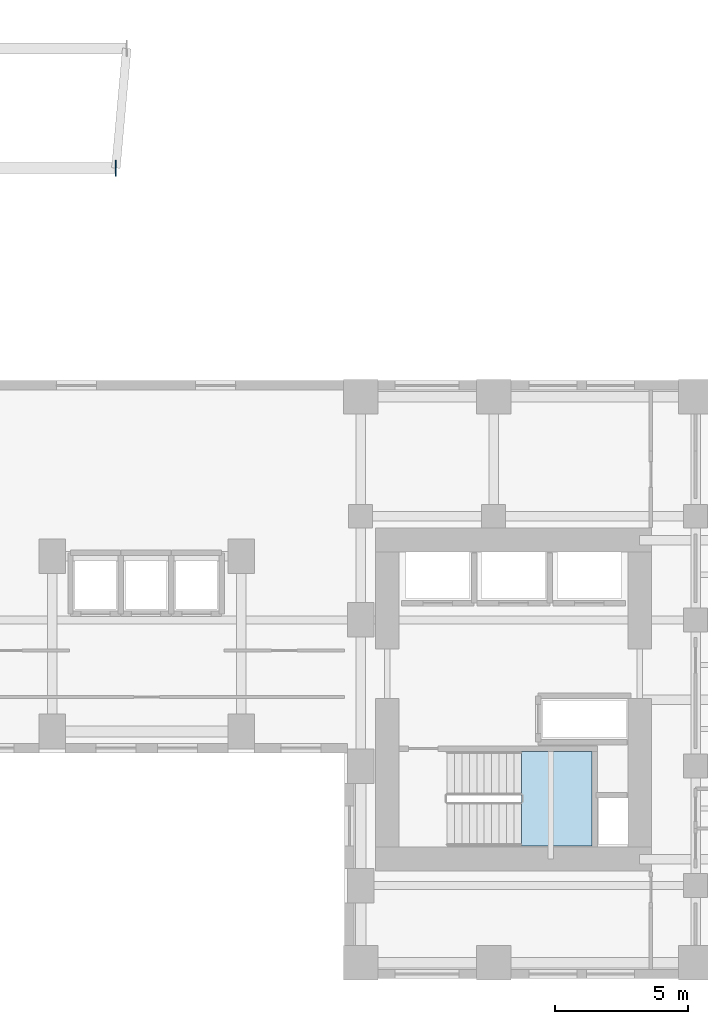
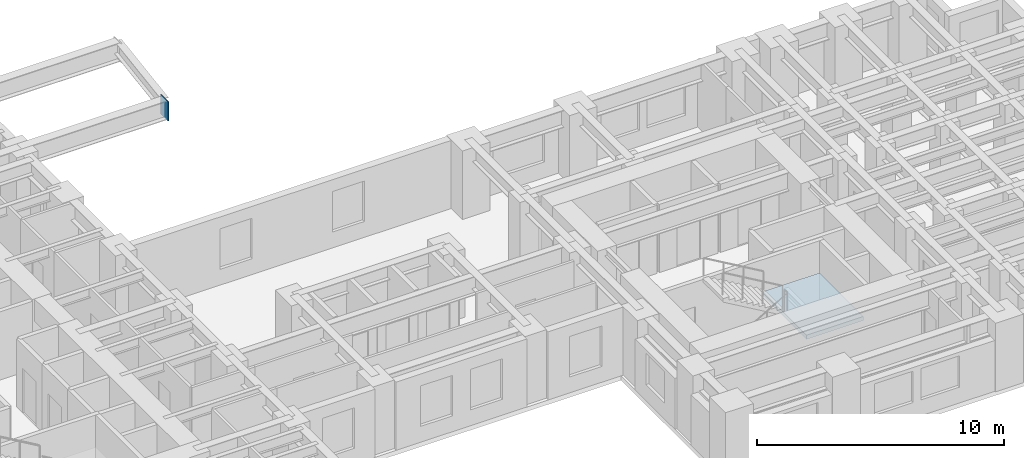
# One storey, part 5 of 15: 1 plate, 1 slab, 1 element without a shape of its own.
"""IFC4 building model written with IfcOpenShell, lengths in metres."""

from ifc_helpers import new_model, si_unit, direction, frame, origin, origin_2d, place, context, subcontext, project, spatial, polyline, rectangle, outline, extrude, source, transform, mapped, material, layer, layer_set, type_object, element, aggregate, save


model = new_model("IFC4")

# Units and contexts
model_context = context("Model", 3, precision=1e-05, world=origin(), true_north=direction((0.0, 1.0)))
body_context = subcontext(model_context, "Body", "Model", "MODEL_VIEW")
ifc_project = project(units=[si_unit("LENGTHUNIT", "METRE"), si_unit("AREAUNIT", "SQUARE_METRE"), si_unit("VOLUMEUNIT", "CUBIC_METRE"), si_unit("PLANEANGLEUNIT", "RADIAN"), si_unit("MASSUNIT", "GRAM", prefix="KILO")], contexts=[model_context])

# Site, building, storey
site_placement = place(None, origin())
site = spatial("IfcSite", under=ifc_project, at=site_placement, CompositionType="ELEMENT")
building_placement = place(site_placement, origin())
building = spatial("IfcBuilding", under=site, at=building_placement, Name="Kharzan Plaza Tower", CompositionType="ELEMENT")
storey_placement = place(building_placement, frame((0.0, 0.0, 22.5)))
storey = spatial("IfcBuildingStorey", under=building, at=storey_placement, Name="L05", CompositionType="ELEMENT", Elevation=22.5)

# Stair, slab
ifc_material_1 = material(Name="Concrete C40/50", Category="concrete")
stair_type = type_object("IfcStairType", Name="STR-ST-3", PredefinedType="HALF_TURN_STAIR", material=ifc_material_1)
stair_placement = place(storey_placement, origin())
stair = element("IfcStair", 1, at=stair_placement, inside=storey, type_object=stair_type, Name="L05 Protected Exit Stair ST-3", PredefinedType="HALF_TURN_STAIR")
ifc_layer_1 = layer(ifc_material_1, 0.219970703125)
ifc_layer_set_1 = layer_set([ifc_layer_1], Name="Concrete C40/50")
slab_type = type_object("IfcSlabType", Name="SL-LANDING-220", PredefinedType="LANDING", material=ifc_layer_set_1)
slab_placement = place(storey_placement, frame((0.0, 0.0, 1.60009765625)))
slab = element("IfcSlab", 2, at=slab_placement, type_object=slab_type, Name="ST-3 landing 1", PredefinedType="LANDING", context=body_context, shape_type="SweptSolid", body=[
    extrude(outline(polyline([(41.050048828125, 5.0), (43.699951171875, 5.0), (43.699951171875, 8.550048828125), (41.050048828125, 8.550048828125), (41.050048828125, 5.0)])), origin(), (0.0, 0.0, 1.0), 0.199951171875),
])
aggregate(stair, [slab])

# Plate
ifc_material_2 = material(Name="Steel S460", Category="steel")
ifc_layer_2 = layer(ifc_material_2, 0.0419921875)
ifc_layer_set_2 = layer_set([ifc_layer_2], Name="Steel S460")
plate_type = type_object("IfcPlateType", Name="PLT-ZTN1", PredefinedType="USERDEFINED", material=ifc_layer_set_2)
shared_shape = source(origin(), body_context, "Body", "SweptSolid", [
    extrude(rectangle(XDim=0.60009765625, YDim=0.0419921875, at=origin_2d()), origin(), (0.0, 0.0, 1.0), 0.949951171875),
])
plate_placement = place(storey_placement, frame((25.7900390625, 30.5, 2.4365234375), z_axis=(0.0, 0.0, 1.0), x_axis=(0.0, 1.0, 0.0)))
element("IfcPlate", 3, at=plate_placement, inside=storey, type_object=plate_type, Name="L05 Sky-Terrace Cantilever Tip Plate ZTN1", ObjectType="FLANGE_PLATE", PredefinedType="USERDEFINED", context=body_context, shape_type="MappedRepresentation", body=[
    mapped(shared_shape, transform((0.0, 0.0, 0.0), x_axis=(1.0, 0.0, 0.0), y_axis=(0.0, 1.0, 0.0), z_axis=(0.0, 0.0, 1.0))),
])

save(model, "model.ifc")
